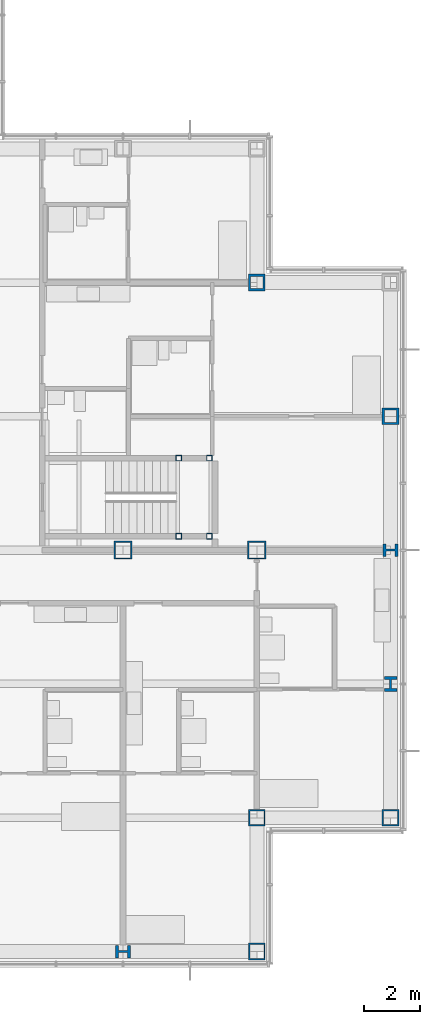
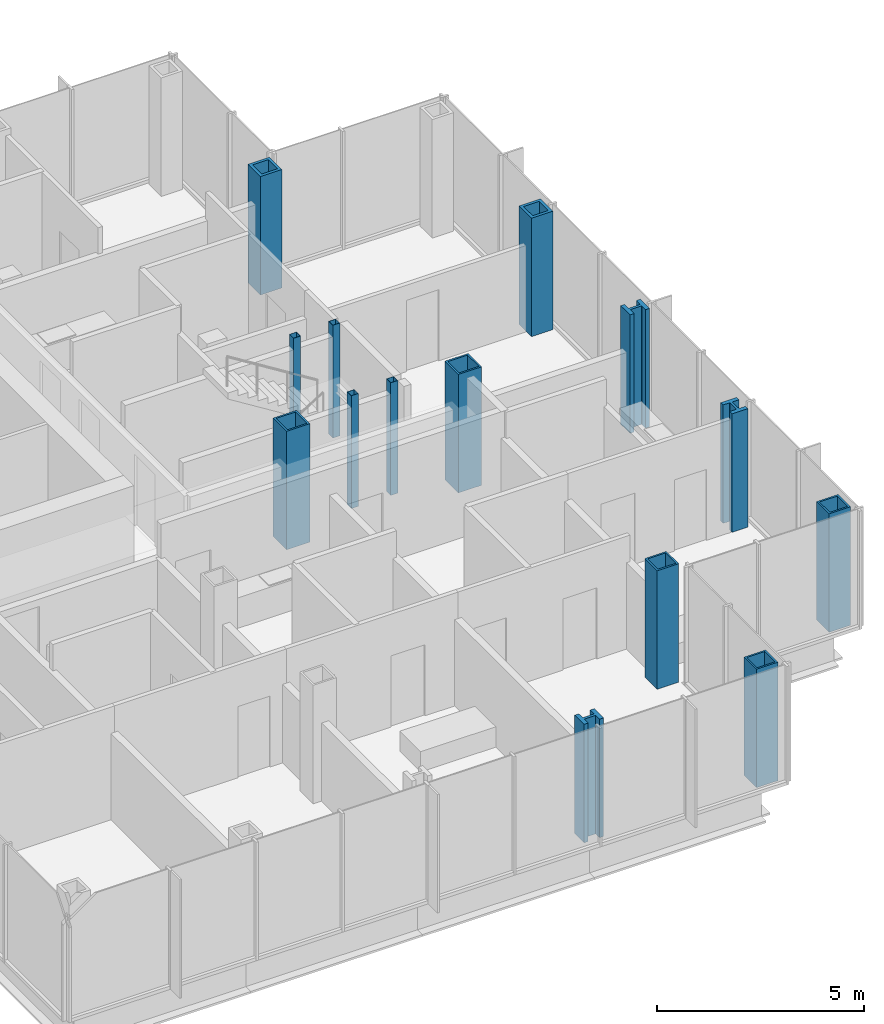
# One storey, part 4 of 20: 14 columns.
"""IFC4 building model written with IfcOpenShell, lengths in metres."""

from ifc_helpers import new_model, si_unit, direction, frame, origin, origin_2d, place, context, subcontext, project, spatial, hollow_rectangle, i_section, extrude, material, material_profile, profile_set, type_object, element, save


model = new_model("IFC4")

# Units and contexts
model_context = context("Model", 3, precision=1e-05, world=origin(), true_north=direction((0.0, 1.0)))
body_context = subcontext(model_context, "Body", "Model", "MODEL_VIEW")
ifc_project = project(units=[si_unit("LENGTHUNIT", "METRE"), si_unit("AREAUNIT", "SQUARE_METRE"), si_unit("VOLUMEUNIT", "CUBIC_METRE"), si_unit("PLANEANGLEUNIT", "RADIAN"), si_unit("MASSUNIT", "GRAM", prefix="KILO")], contexts=[model_context])

# Site, building, storey
site_placement = place(None, origin())
site = spatial("IfcSite", under=ifc_project, at=site_placement, CompositionType="ELEMENT")
building_placement = place(site_placement, origin())
building = spatial("IfcBuilding", under=site, at=building_placement, Name="Kvirike Care Tower", CompositionType="ELEMENT")
storey_placement = place(building_placement, frame((0.0, 0.0, 112.0)))
storey = spatial("IfcBuildingStorey", under=building, at=storey_placement, Name="L30", CompositionType="ELEMENT", Elevation=112.0)

# Columns
ifc_material_1 = material(Name="Steel S460", Category="steel")
ifc_material_profile_1 = material_profile(ifc_material_1, hollow_rectangle(XDim=0.60009765625, YDim=0.60009765625, WallThickness=0.050048828125, at=origin_2d()), Name="BX 600x600x50")
ifc_profile_set_1 = profile_set([ifc_material_profile_1], Name="Steel S460")
column_type_1 = type_object("IfcColumnType", Name="COLUMN BX 600x600x50", PredefinedType="COLUMN", material=ifc_profile_set_1)
for number, where, z_axis, x_axis, name in (
    (1, (38.39990234375, 14.39990234375, 0.0), (0.0, 0.0, 1.0), (0.0, 1.0, 0.0), "Column D11 L30"),
    (2, (38.39990234375, 19.199951171875, 0.0), (0.0, 0.0, 1.0), (0.0, 1.0, 0.0), "Column E11 L30"),
    (3, (43.199951171875, 19.199951171875, 0.0), (0.0, 0.0, 1.0), (0.0, 1.0, 0.0), "Column E12 L30"),
):
    element("IfcColumn", number, at=place(storey_placement, frame(where, z_axis=z_axis, x_axis=x_axis)), inside=storey, type_object=column_type_1, Name=name, PredefinedType="COLUMN", context=body_context, shape_type="SweptSolid", body=[
        extrude(hollow_rectangle(XDim=0.60009765625, YDim=0.60009765625, WallThickness=0.050048828125, at=origin_2d()), origin(), (0.0, 0.0, 1.0), 3.5),
    ])
ifc_material_2 = material(Name="Steel S460", Category="steel")
ifc_material_profile_2 = material_profile(ifc_material_2, hollow_rectangle(XDim=0.60009765625, YDim=0.60009765625, WallThickness=0.080078125, at=origin_2d()), Name="BX 600x600x80")
ifc_profile_set_2 = profile_set([ifc_material_profile_2], Name="Steel S460")
column_type_2 = type_object("IfcColumnType", Name="COLUMN BX 600x600x80", PredefinedType="COLUMN", material=ifc_profile_set_2)
for number, where, z_axis, x_axis, name in (
    (4, (38.39990234375, 38.39990234375, 0.0), (0.0, 0.0, 1.0), (0.0, 1.0, 0.0), "Column J11 L30"),
    (5, (43.199951171875, 33.60009765625, 0.0), (0.0, 0.0, 1.0), (1.0, 0.0, 0.0), "Column H12 L30"),
):
    element("IfcColumn", number, at=place(storey_placement, frame(where, z_axis=z_axis, x_axis=x_axis)), inside=storey, type_object=column_type_2, Name=name, PredefinedType="COLUMN", context=body_context, shape_type="SweptSolid", body=[
        extrude(hollow_rectangle(XDim=0.60009765625, YDim=0.60009765625, WallThickness=0.080078125, at=origin_2d()), origin(), (0.0, 0.0, 1.0), 3.5),
    ])
ifc_material_3 = material(Name="Steel S460", Category="steel")
ifc_material_profile_3 = material_profile(ifc_material_3, hollow_rectangle(XDim=0.64990234375, YDim=0.64990234375, WallThickness=0.050048828125, at=origin_2d()), Name="BX 650x650x50")
ifc_profile_set_3 = profile_set([ifc_material_profile_3], Name="Steel S460")
column_type_3 = type_object("IfcColumnType", Name="COLUMN BX 650x650x50", PredefinedType="COLUMN", material=ifc_profile_set_3)
for number, where, z_axis, x_axis, name in (
    (6, (33.60009765625, 28.800048828125, 0.0), (0.0, 0.0, 1.0), (0.0, 1.0, 0.0), "Column G10 L30"),
    (7, (38.39990234375, 28.800048828125, 0.0), (0.0, 0.0, 1.0), (0.0, 1.0, 0.0), "Column G11 L30"),
):
    element("IfcColumn", number, at=place(storey_placement, frame(where, z_axis=z_axis, x_axis=x_axis)), inside=storey, type_object=column_type_3, Name=name, PredefinedType="COLUMN", context=body_context, shape_type="SweptSolid", body=[
        extrude(hollow_rectangle(XDim=0.64990234375, YDim=0.64990234375, WallThickness=0.050048828125, at=origin_2d()), origin(), (0.0, 0.0, 1.0), 3.5),
    ])
ifc_material_4 = material(Name="Steel S460", Category="steel")
ifc_material_profile_4 = material_profile(ifc_material_4, i_section(OverallWidth=0.447998046875, OverallDepth=0.550048828125, WebThickness=0.072021484375, FlangeThickness=0.114990234375, FilletRadius=0.014892578125, at=origin_2d()), Name="HD 400x990")
ifc_profile_set_4 = profile_set([ifc_material_profile_4], Name="Steel S460")
column_type_4 = type_object("IfcColumnType", Name="COLUMN HD 400x990", PredefinedType="COLUMN", material=ifc_profile_set_4)
for number, where, z_axis, x_axis, name in (
    (8, (33.60009765625, 14.39990234375, 0.0), (0.0, 0.0, 1.0), (0.0, 1.0, 0.0), "Column D10 L30"),
    (9, (43.199951171875, 24.0, 0.0), (0.0, 0.0, 1.0), (1.0, 0.0, 0.0), "Column F12 L30"),
    (10, (43.199951171875, 28.800048828125, 0.0), (0.0, 0.0, 1.0), (0.0, 1.0, 0.0), "Column G12 L30"),
):
    element("IfcColumn", number, at=place(storey_placement, frame(where, z_axis=z_axis, x_axis=x_axis)), inside=storey, type_object=column_type_4, Name=name, PredefinedType="COLUMN", context=body_context, shape_type="SweptSolid", body=[
        extrude(i_section(OverallWidth=0.447998046875, OverallDepth=0.550048828125, WebThickness=0.072021484375, FlangeThickness=0.114990234375, FilletRadius=0.014892578125, at=origin_2d()), origin(), (0.0, 0.0, 1.0), 3.5),
    ])
ifc_material_5 = material(Name="Steel S460", Category="steel")
ifc_material_profile_5 = material_profile(ifc_material_5, hollow_rectangle(XDim=0.199951171875, YDim=0.199951171875, WallThickness=0.008056640625, at=origin_2d()), Name="SHS 200x200x8")
ifc_profile_set_5 = profile_set([ifc_material_profile_5], Name="Steel S460")
column_type_5 = type_object("IfcColumnType", Name="STAIR POST SHS 200x200x8", PredefinedType="COLUMN", material=ifc_profile_set_5)
for number, where, z_axis, x_axis, name in (
    (11, (36.699951171875, 29.300048828125, 0.0), (0.0, 0.0, 1.0), (1.0, 0.0, 0.0), "Stair 2 post 1 L30"),
    (12, (36.699951171875, 32.10009765625, 0.0), (0.0, 0.0, 1.0), (1.0, 0.0, 0.0), "Stair 2 post 2 L30"),
    (13, (35.60009765625, 29.300048828125, 0.0), (0.0, 0.0, 1.0), (1.0, 0.0, 0.0), "Stair 2 post 3 L30"),
    (14, (35.60009765625, 32.10009765625, 0.0), (0.0, 0.0, 1.0), (1.0, 0.0, 0.0), "Stair 2 post 4 L30"),
):
    element("IfcColumn", number, at=place(storey_placement, frame(where, z_axis=z_axis, x_axis=x_axis)), inside=storey, type_object=column_type_5, Name=name, PredefinedType="COLUMN", context=body_context, shape_type="SweptSolid", body=[
        extrude(hollow_rectangle(XDim=0.199951171875, YDim=0.199951171875, WallThickness=0.008056640625, at=origin_2d()), origin(), (0.0, 0.0, 1.0), 3.330078125),
    ])

save(model, "model.ifc")
